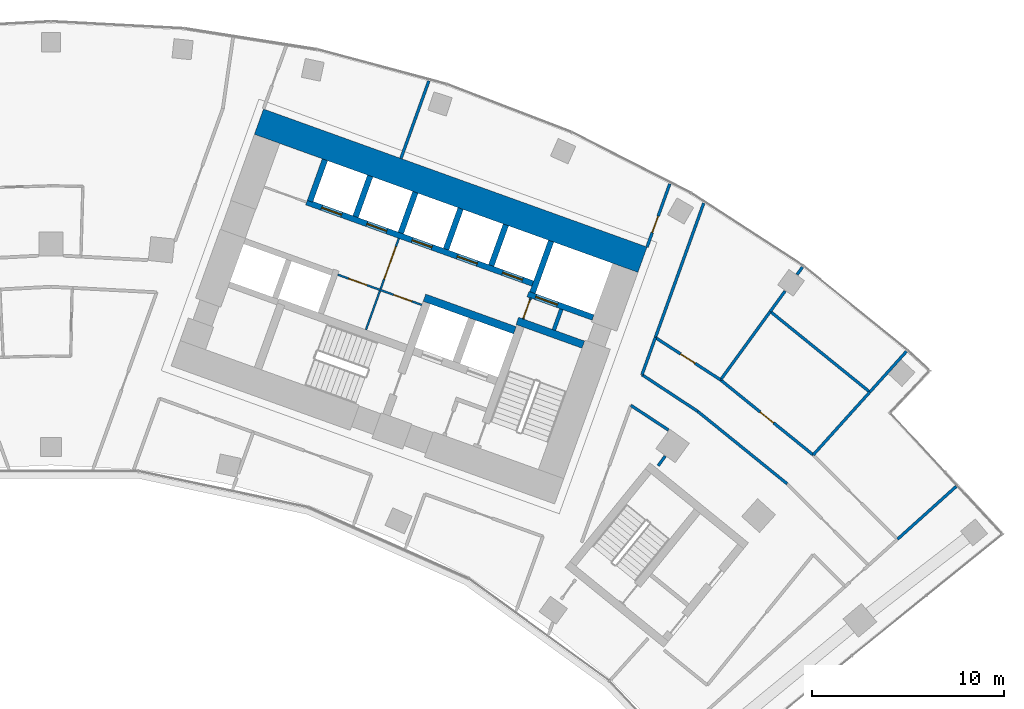
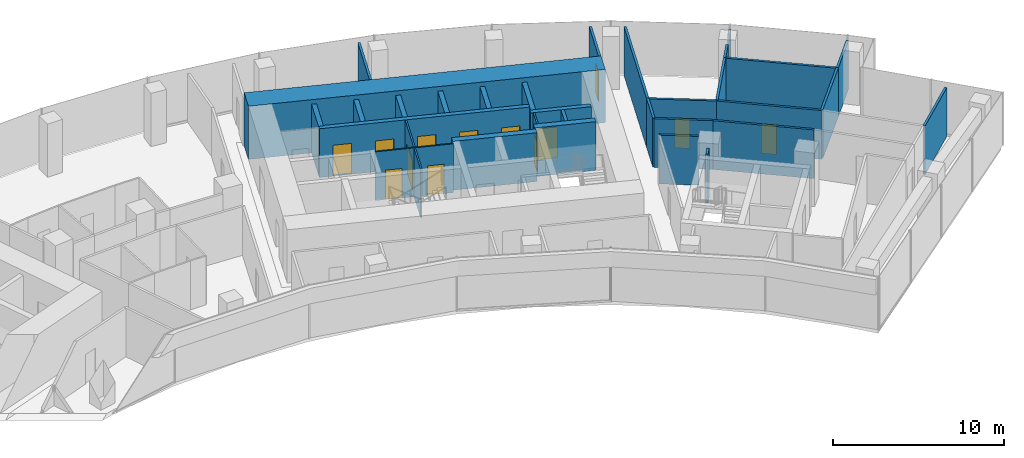
# One storey, part 18 of 21: 32 walls, 13 doors, 13 openings.
"""IFC4 building model written with IfcOpenShell, lengths in metres."""

from ifc_helpers import new_model, si_unit, direction, frame, frame_2d, origin, place, context, subcontext, project, spatial, rectangle, extrude, material, layer, layer_set, type_object, element, fill, save


model = new_model("IFC4")

# Units and contexts
model_context = context("Model", 3, precision=1e-05, world=origin(), true_north=direction((0.0, 1.0)))
body_context = subcontext(model_context, "Body", "Model", "MODEL_VIEW")
ifc_project = project(units=[si_unit("LENGTHUNIT", "METRE"), si_unit("AREAUNIT", "SQUARE_METRE"), si_unit("VOLUMEUNIT", "CUBIC_METRE"), si_unit("PLANEANGLEUNIT", "RADIAN"), si_unit("MASSUNIT", "GRAM", prefix="KILO")], contexts=[model_context])

# Site, building, storey
site_placement = place(None, origin())
site = spatial("IfcSite", under=ifc_project, at=site_placement, CompositionType="ELEMENT")
building_placement = place(site_placement, origin())
building = spatial("IfcBuilding", under=site, at=building_placement, Name="Stone Belt Terrace Tower", CompositionType="ELEMENT")
storey_placement = place(building_placement, frame((0.0, 0.0, 163.0)))
storey = spatial("IfcBuildingStorey", under=building, at=storey_placement, Name="L39", CompositionType="ELEMENT", Elevation=163.0)

# Wall, opening, door
ifc_material_1 = material(Name="Plasterboard partition")
ifc_layer_1 = layer(ifc_material_1, 0.10009765625)
ifc_layer_set_1 = layer_set([ifc_layer_1], Name="Core partition 100")
wall_type_1 = type_object("IfcWallType", Name="Core partition 100", PredefinedType="PARTITIONING", material=ifc_layer_set_1)
wall_1_placement = place(storey_placement, frame((24.555908203125, 51.10400390625, 0.0), z_axis=(0.0, 0.0, 1.0), x_axis=(0.338621735342, 0.94092258999, 0.0)))
wall_1 = element("IfcWall", 1, at=wall_1_placement, inside=storey, type_object=wall_type_1, Name="Core B wall", PredefinedType="PARTITIONING", context=body_context, shape_type="SweptSolid", body=[
    extrude(rectangle(XDim=1.14990234375, YDim=0.10009765625, at=frame_2d((0.574951171875, 0.0))), origin(), (0.0, 0.0, 1.0), 3.47998046875),
])
opening_1_placement = place(wall_1_placement, frame((0.050048828125, 0.0, 0.0)))
opening_1 = element("IfcOpeningElement", 2, at=opening_1_placement, cuts=wall_1, Name="Opening L39-C18", PredefinedType="OPENING", context=body_context, shape_type="SweptSolid", body=[
    extrude(rectangle(XDim=1.0, YDim=2.10009765625, at=frame_2d((0.5, 1.050048828125))), frame((0.0, 0.06005859375, 0.0), z_axis=(0.0, -1.0, 0.0), x_axis=(1.0, 0.0, 0.0)), (0.0, 0.0, 1.0), 0.1201171875),
])
ifc_material_2 = material(Name="Timber door leaf", Category="wood")
door_type_1 = type_object("IfcDoorType", Name="Core room door 1000", OperationType="SINGLE_SWING_LEFT", PredefinedType="DOOR", material=ifc_material_2)
door_1_placement = place(opening_1_placement, origin())
door_1 = element("IfcDoor", 3, at=door_1_placement, inside=storey, type_object=door_type_1, Name="Service lift lobby door core B", OperationType="SINGLE_SWING_RIGHT", OverallHeight=2.10009765625, OverallWidth=1.0, PredefinedType="DOOR", context=body_context, shape_type="SweptSolid", body=[
    extrude(rectangle(XDim=1.0, YDim=2.10009765625, at=frame_2d((0.5, 1.050048828125))), frame((0.0, 0.02490234375, 0.0), z_axis=(0.0, -1.0, 0.0), x_axis=(1.0, 0.0, 0.0)), (0.0, 0.0, 1.0), 0.050048828125),
])
fill(opening_1, door_1)

# Wall, openings, doors
wall_2_placement = place(storey_placement, frame((19.29052734375, 51.829833984375, 0.0), z_axis=(0.0, 0.0, 1.0), x_axis=(-0.940930240745, 0.338600475563, 0.0)))
wall_2 = element("IfcWall", 4, at=wall_2_placement, inside=storey, type_object=wall_type_1, Name="Core B wall", PredefinedType="PARTITIONING", context=body_context, shape_type="SweptSolid", body=[
    extrude(rectangle(XDim=4.64990234375, YDim=0.10009765625, at=frame_2d((2.324951171875, 0.0))), origin(), (0.0, 0.0, 1.0), 3.47998046875),
])
opening_2_placement = place(wall_2_placement, frame((0.550048828125, 0.0, 0.0)))
opening_2 = element("IfcOpeningElement", 5, at=opening_2_placement, cuts=wall_2, Name="Opening L39-C15", PredefinedType="OPENING", context=body_context, shape_type="SweptSolid", body=[
    extrude(rectangle(XDim=1.0, YDim=2.10009765625, at=frame_2d((0.5, 1.050048828125))), frame((0.0, 0.06005859375, 0.0), z_axis=(0.0, -1.0, 0.0), x_axis=(1.0, 0.0, 0.0)), (0.0, 0.0, 1.0), 0.1201171875),
])
opening_3_placement = place(wall_2_placement, frame((3.050048828125, 0.0, 0.0)))
opening_3 = element("IfcOpeningElement", 6, at=opening_3_placement, cuts=wall_2, Name="Opening L39-C16", PredefinedType="OPENING", context=body_context, shape_type="SweptSolid", body=[
    extrude(rectangle(XDim=1.0, YDim=2.10009765625, at=frame_2d((0.5, 1.050048828125))), frame((0.0, 0.06005859375, 0.0), z_axis=(0.0, -1.0, 0.0), x_axis=(1.0, 0.0, 0.0)), (0.0, 0.0, 1.0), 0.1201171875),
])
door_2_placement = place(opening_2_placement, origin())
door_2 = element("IfcDoor", 7, at=door_2_placement, inside=storey, type_object=door_type_1, Name="Door to Meeting store core B", OperationType="SINGLE_SWING_RIGHT", OverallHeight=2.10009765625, OverallWidth=1.0, PredefinedType="DOOR", context=body_context, shape_type="SweptSolid", body=[
    extrude(rectangle(XDim=1.0, YDim=2.10009765625, at=frame_2d((0.5, 1.050048828125))), frame((0.0, 0.02490234375, 0.0), z_axis=(0.0, -1.0, 0.0), x_axis=(1.0, 0.0, 0.0)), (0.0, 0.0, 1.0), 0.050048828125),
])
fill(opening_2, door_2)
door_3_placement = place(opening_3_placement, origin())
door_3 = element("IfcDoor", 8, at=door_3_placement, inside=storey, type_object=door_type_1, Name="Door to Staff pantry core B", OperationType="SINGLE_SWING_LEFT", OverallHeight=2.10009765625, OverallWidth=1.0, PredefinedType="DOOR", context=body_context, shape_type="SweptSolid", body=[
    extrude(rectangle(XDim=1.0, YDim=2.10009765625, at=frame_2d((0.5, 1.050048828125))), frame((0.0, 0.02490234375, 0.0), z_axis=(0.0, -1.0, 0.0), x_axis=(1.0, 0.0, 0.0)), (0.0, 0.0, 1.0), 0.050048828125),
])
fill(opening_3, door_3)

# Wall, opening, door
wall_3_placement = place(storey_placement, frame((16.38134765625, 50.53857421875, 0.0), z_axis=(0.0, 0.0, 1.0), x_axis=(0.33860476744, 0.940928696271, 0.0)))
wall_3 = element("IfcWall", 9, at=wall_3_placement, inside=storey, type_object=wall_type_1, Name="Core B wall", PredefinedType="PARTITIONING", context=body_context, shape_type="SweptSolid", body=[
    extrude(rectangle(XDim=5.050048828125, YDim=0.10009765625, at=frame_2d((2.52490234375, 0.0))), origin(), (0.0, 0.0, 1.0), 3.47998046875),
])
opening_4_placement = place(wall_3_placement, frame((2.800048828125, 0.0, 0.0)))
opening_4 = element("IfcOpeningElement", 10, at=opening_4_placement, cuts=wall_3, Name="Opening L39-C19", PredefinedType="OPENING", context=body_context, shape_type="SweptSolid", body=[
    extrude(rectangle(XDim=1.800048828125, YDim=2.10009765625, at=frame_2d((0.89990234375, 1.050048828125))), frame((0.0, 0.06005859375, 0.0), z_axis=(0.0, -1.0, 0.0), x_axis=(1.0, 0.0, 0.0)), (0.0, 0.0, 1.0), 0.1201171875),
])
ifc_material_3 = material(Name="Glazed aluminium door leaf", Category="aluminium")
door_type_2 = type_object("IfcDoorType", Name="Lift lobby entrance door 1800", OperationType="DOUBLE_DOOR_SINGLE_SWING", PredefinedType="DOOR", material=ifc_material_3)
door_4_placement = place(opening_4_placement, origin())
door_4 = element("IfcDoor", 11, at=door_4_placement, inside=storey, type_object=door_type_2, Name="Lift lobby double door core B", OperationType="DOUBLE_DOOR_SINGLE_SWING", OverallHeight=2.10009765625, OverallWidth=1.800048828125, PredefinedType="DOOR", context=body_context, shape_type="SweptSolid", body=[
    extrude(rectangle(XDim=1.800048828125, YDim=2.10009765625, at=frame_2d((0.89990234375, 1.050048828125))), frame((0.0, 0.02490234375, 0.0), z_axis=(0.0, -1.0, 0.0), x_axis=(1.0, 0.0, 0.0)), (0.0, 0.0, 1.0), 0.050048828125),
])
fill(opening_4, door_4)

# Walls
ifc_material_4 = material(Name="Concrete B80", Category="concrete")
ifc_layer_2 = layer(ifc_material_4, 1.39990234375)
ifc_layer_set_2 = layer_set([ifc_layer_2], Name="Core wall 1400 B80")
wall_type_2 = type_object("IfcWallType", Name="Core wall 1400 B80", PredefinedType="SHEAR", material=ifc_layer_set_2)
wall_4_placement = place(storey_placement, frame((10.81787109375, 61.362060546875, 0.0), z_axis=(0.0, 0.0, 1.0), x_axis=(0.940919704758, -0.338629752382, 0.0)))
element("IfcWall", 12, at=wall_4_placement, inside=storey, type_object=wall_type_2, Name="Core B wall convex L39", PredefinedType="SHEAR", context=body_context, shape_type="SweptSolid", body=[
    extrude(rectangle(XDim=21.199951171875, YDim=1.39990234375, at=frame_2d((10.60009765625, 0.0))), origin(), (0.0, 0.0, 1.0), 3.800048828125),
])
ifc_layer_3 = layer(ifc_material_4, 0.39990234375)
ifc_layer_set_3 = layer_set([ifc_layer_3], Name="Fire-fighting lift shaft wall 400")
wall_type_3 = type_object("IfcWallType", Name="Fire-fighting lift shaft wall 400", PredefinedType="SHEAR", material=ifc_layer_set_3)
wall_5_placement = place(storey_placement, frame((24.130615234375, 50.512939453125, 0.0), z_axis=(0.0, 0.0, 1.0), x_axis=(-0.94091168377, 0.338652038744, 0.0)))
element("IfcWall", 13, at=wall_5_placement, inside=storey, type_object=wall_type_3, Name="Core B wall", PredefinedType="SHEAR", context=body_context, shape_type="SweptSolid", body=[
    extrude(rectangle(XDim=5.000244140625, YDim=0.39990234375, at=frame_2d((2.5, 0.0))), origin(), (0.0, 0.0, 1.0), 3.47998046875),
])

# Wall, opening, door
ifc_layer_4 = layer(ifc_material_4, 0.300048828125)
ifc_layer_set_4 = layer_set([ifc_layer_4], Name="Lift shaft wall 300")
wall_type_4 = type_object("IfcWallType", Name="Lift shaft wall 300", PredefinedType="SHEAR", material=ifc_layer_set_4)
wall_6_placement = place(storey_placement, frame((28.195068359375, 51.17578125, 0.0), z_axis=(0.0, 0.0, 1.0), x_axis=(-0.940901243567, 0.338681044427, 0.0)))
wall_6 = element("IfcWall", 14, at=wall_6_placement, inside=storey, type_object=wall_type_4, Name="Core B wall", PredefinedType="SHEAR", context=body_context, shape_type="SweptSolid", body=[
    extrude(rectangle(XDim=3.599853515625, YDim=0.300048828125, at=frame_2d((1.7998046875, 0.0))), origin(), (0.0, 0.0, 1.0), 3.47998046875),
])
opening_5_placement = place(wall_6_placement, frame((1.969970703125, 0.0, 0.0)))
opening_5 = element("IfcOpeningElement", 15, at=opening_5_placement, cuts=wall_6, Name="Opening L39-LD16", PredefinedType="OPENING", context=body_context, shape_type="SweptSolid", body=[
    extrude(rectangle(XDim=1.199951171875, YDim=2.199951171875, at=frame_2d((0.60009765625, 1.10009765625))), frame((0.0, 0.159912109375, 0.0), z_axis=(0.0, -1.0, 0.0), x_axis=(1.0, 0.0, 0.0)), (0.0, 0.0, 1.0), 0.320068359375),
])
ifc_material_5 = material(Name="Stainless steel door leaf", Category="steel")
door_type_3 = type_object("IfcDoorType", Name="Landing door 1200", OperationType="SLIDING_TO_LEFT", PredefinedType="DOOR", material=ifc_material_5)
door_5_placement = place(opening_5_placement, origin())
door_5 = element("IfcDoor", 16, at=door_5_placement, inside=storey, type_object=door_type_3, Name="Landing door SV1 core B", OperationType="SLIDING_TO_LEFT", OverallHeight=2.199951171875, OverallWidth=1.199951171875, PredefinedType="DOOR", context=body_context, shape_type="SweptSolid", body=[
    extrude(rectangle(XDim=1.199951171875, YDim=2.199951171875, at=frame_2d((0.60009765625, 1.10009765625))), frame((0.0, 0.02490234375, 0.0), z_axis=(0.0, -1.0, 0.0), x_axis=(1.0, 0.0, 0.0)), (0.0, 0.0, 1.0), 0.050048828125),
])
fill(opening_5, door_5)

# Wall
wall_7_placement = place(storey_placement, frame((25.046875, 52.46826171875, 0.0), z_axis=(0.0, 0.0, 1.0), x_axis=(0.338549588058, 0.940948551423, 0.0)))
element("IfcWall", 17, at=wall_7_placement, inside=storey, type_object=wall_type_4, Name="Core B wall", PredefinedType="SHEAR", context=body_context, shape_type="SweptSolid", body=[
    extrude(rectangle(XDim=2.849853515625, YDim=0.300048828125, at=frame_2d((1.4248046875, 0.0))), origin(), (0.0, 0.0, 1.0), 3.47998046875),
])

# Wall, openings, doors
wall_8_placement = place(storey_placement, frame((25.05810546875, 52.9423828125, 0.0), z_axis=(0.0, 0.0, 1.0), x_axis=(-0.940920770291, 0.338626791666, 0.0)))
wall_8 = element("IfcWall", 18, at=wall_8_placement, inside=storey, type_object=wall_type_4, Name="Core B wall", PredefinedType="SHEAR", context=body_context, shape_type="SweptSolid", body=[
    extrude(rectangle(XDim=12.500244140625, YDim=0.300048828125, at=frame_2d((6.25, 0.0))), origin(), (0.0, 0.0, 1.0), 3.47998046875),
])
opening_6_placement = place(wall_8_placement, frame((0.570068359375, 0.0, 0.0)))
opening_6 = element("IfcOpeningElement", 19, at=opening_6_placement, cuts=wall_8, Name="Opening L39-LD09", PredefinedType="OPENING", context=body_context, shape_type="SweptSolid", body=[
    extrude(rectangle(XDim=1.10009765625, YDim=2.199951171875, at=frame_2d((0.550048828125, 1.10009765625))), frame((0.0, 0.159912109375, 0.0), z_axis=(0.0, -1.0, 0.0), x_axis=(1.0, 0.0, 0.0)), (0.0, 0.0, 1.0), 0.320068359375),
])
opening_7_placement = place(wall_8_placement, frame((3.070068359375, 0.0, 0.0)))
opening_7 = element("IfcOpeningElement", 20, at=opening_7_placement, cuts=wall_8, Name="Opening L39-LD10", PredefinedType="OPENING", context=body_context, shape_type="SweptSolid", body=[
    extrude(rectangle(XDim=1.10009765625, YDim=2.199951171875, at=frame_2d((0.550048828125, 1.10009765625))), frame((0.0, 0.159912109375, 0.0), z_axis=(0.0, -1.0, 0.0), x_axis=(1.0, 0.0, 0.0)), (0.0, 0.0, 1.0), 0.320068359375),
])
opening_8_placement = place(wall_8_placement, frame((5.570068359375, 0.0, 0.0)))
opening_8 = element("IfcOpeningElement", 21, at=opening_8_placement, cuts=wall_8, Name="Opening L39-LD11", PredefinedType="OPENING", context=body_context, shape_type="SweptSolid", body=[
    extrude(rectangle(XDim=1.10009765625, YDim=2.199951171875, at=frame_2d((0.550048828125, 1.10009765625))), frame((0.0, 0.159912109375, 0.0), z_axis=(0.0, -1.0, 0.0), x_axis=(1.0, 0.0, 0.0)), (0.0, 0.0, 1.0), 0.320068359375),
])
opening_9_placement = place(wall_8_placement, frame((8.070068359375, 0.0, 0.0)))
opening_9 = element("IfcOpeningElement", 22, at=opening_9_placement, cuts=wall_8, Name="Opening L39-LD12", PredefinedType="OPENING", context=body_context, shape_type="SweptSolid", body=[
    extrude(rectangle(XDim=1.10009765625, YDim=2.199951171875, at=frame_2d((0.550048828125, 1.10009765625))), frame((0.0, 0.159912109375, 0.0), z_axis=(0.0, -1.0, 0.0), x_axis=(1.0, 0.0, 0.0)), (0.0, 0.0, 1.0), 0.320068359375),
])
opening_10_placement = place(wall_8_placement, frame((10.570068359375, 0.0, 0.0)))
opening_10 = element("IfcOpeningElement", 23, at=opening_10_placement, cuts=wall_8, Name="Opening L39-LD13", PredefinedType="OPENING", context=body_context, shape_type="SweptSolid", body=[
    extrude(rectangle(XDim=1.10009765625, YDim=2.199951171875, at=frame_2d((0.550048828125, 1.10009765625))), frame((0.0, 0.159912109375, 0.0), z_axis=(0.0, -1.0, 0.0), x_axis=(1.0, 0.0, 0.0)), (0.0, 0.0, 1.0), 0.320068359375),
])
door_type_4 = type_object("IfcDoorType", Name="Landing door 1100", OperationType="SLIDING_TO_LEFT", PredefinedType="DOOR", material=ifc_material_5)
door_6_placement = place(opening_6_placement, origin())
door_6 = element("IfcDoor", 24, at=door_6_placement, inside=storey, type_object=door_type_4, Name="Landing door MR1 core B", OperationType="SLIDING_TO_LEFT", OverallHeight=2.199951171875, OverallWidth=1.10009765625, PredefinedType="DOOR", context=body_context, shape_type="SweptSolid", body=[
    extrude(rectangle(XDim=1.10009765625, YDim=2.199951171875, at=frame_2d((0.550048828125, 1.10009765625))), frame((0.0, 0.02490234375, 0.0), z_axis=(0.0, -1.0, 0.0), x_axis=(1.0, 0.0, 0.0)), (0.0, 0.0, 1.0), 0.050048828125),
])
fill(opening_6, door_6)
door_7_placement = place(opening_7_placement, origin())
door_7 = element("IfcDoor", 25, at=door_7_placement, inside=storey, type_object=door_type_4, Name="Landing door MR2 core B", OperationType="SLIDING_TO_LEFT", OverallHeight=2.199951171875, OverallWidth=1.10009765625, PredefinedType="DOOR", context=body_context, shape_type="SweptSolid", body=[
    extrude(rectangle(XDim=1.10009765625, YDim=2.199951171875, at=frame_2d((0.550048828125, 1.10009765625))), frame((0.0, 0.02490234375, 0.0), z_axis=(0.0, -1.0, 0.0), x_axis=(1.0, 0.0, 0.0)), (0.0, 0.0, 1.0), 0.050048828125),
])
fill(opening_7, door_7)
door_8_placement = place(opening_8_placement, origin())
door_8 = element("IfcDoor", 26, at=door_8_placement, inside=storey, type_object=door_type_4, Name="Landing door MR3 core B", OperationType="SLIDING_TO_LEFT", OverallHeight=2.199951171875, OverallWidth=1.10009765625, PredefinedType="DOOR", context=body_context, shape_type="SweptSolid", body=[
    extrude(rectangle(XDim=1.10009765625, YDim=2.199951171875, at=frame_2d((0.550048828125, 1.10009765625))), frame((0.0, 0.02490234375, 0.0), z_axis=(0.0, -1.0, 0.0), x_axis=(1.0, 0.0, 0.0)), (0.0, 0.0, 1.0), 0.050048828125),
])
fill(opening_8, door_8)
door_9_placement = place(opening_9_placement, origin())
door_9 = element("IfcDoor", 27, at=door_9_placement, inside=storey, type_object=door_type_4, Name="Landing door MR4 core B", OperationType="SLIDING_TO_LEFT", OverallHeight=2.199951171875, OverallWidth=1.10009765625, PredefinedType="DOOR", context=body_context, shape_type="SweptSolid", body=[
    extrude(rectangle(XDim=1.10009765625, YDim=2.199951171875, at=frame_2d((0.550048828125, 1.10009765625))), frame((0.0, 0.02490234375, 0.0), z_axis=(0.0, -1.0, 0.0), x_axis=(1.0, 0.0, 0.0)), (0.0, 0.0, 1.0), 0.050048828125),
])
fill(opening_9, door_9)
door_10_placement = place(opening_10_placement, origin())
door_10 = element("IfcDoor", 28, at=door_10_placement, inside=storey, type_object=door_type_4, Name="Landing door MR5 core B", OperationType="SLIDING_TO_LEFT", OverallHeight=2.199951171875, OverallWidth=1.10009765625, PredefinedType="DOOR", context=body_context, shape_type="SweptSolid", body=[
    extrude(rectangle(XDim=1.10009765625, YDim=2.199951171875, at=frame_2d((0.550048828125, 1.10009765625))), frame((0.0, 0.02490234375, 0.0), z_axis=(0.0, -1.0, 0.0), x_axis=(1.0, 0.0, 0.0)), (0.0, 0.0, 1.0), 0.050048828125),
])
fill(opening_10, door_10)

# Walls
wall_9_placement = place(storey_placement, frame((22.897705078125, 53.87939453125, 0.0), z_axis=(0.0, 0.0, 1.0), x_axis=(0.338535034312, 0.940953787677, 0.0)))
element("IfcWall", 29, at=wall_9_placement, inside=storey, type_object=wall_type_4, Name="Core B wall", PredefinedType="SHEAR", context=body_context, shape_type="SweptSolid", body=[
    extrude(rectangle(XDim=2.25, YDim=0.300048828125, at=frame_2d((1.125, 0.0))), origin(), (0.0, 0.0, 1.0), 3.47998046875),
])
wall_10_placement = place(storey_placement, frame((20.54541015625, 54.72607421875, 0.0), z_axis=(0.0, 0.0, 1.0), x_axis=(0.338569601369, 0.940941350472, 0.0)))
element("IfcWall", 30, at=wall_10_placement, inside=storey, type_object=wall_type_4, Name="Core B wall", PredefinedType="SHEAR", context=body_context, shape_type="SweptSolid", body=[
    extrude(rectangle(XDim=2.249755859375, YDim=0.300048828125, at=frame_2d((1.125, 0.0))), origin(), (0.0, 0.0, 1.0), 3.47998046875),
])
wall_11_placement = place(storey_placement, frame((18.193115234375, 55.572509765625, 0.0), z_axis=(0.0, 0.0, 1.0), x_axis=(0.338535034312, 0.940953787677, 0.0)))
element("IfcWall", 31, at=wall_11_placement, inside=storey, type_object=wall_type_4, Name="Core B wall", PredefinedType="SHEAR", context=body_context, shape_type="SweptSolid", body=[
    extrude(rectangle(XDim=2.25, YDim=0.300048828125, at=frame_2d((1.125, 0.0))), origin(), (0.0, 0.0, 1.0), 3.47998046875),
])
wall_12_placement = place(storey_placement, frame((15.8408203125, 56.419189453125, 0.0), z_axis=(0.0, 0.0, 1.0), x_axis=(0.338569601369, 0.940941350472, 0.0)))
element("IfcWall", 32, at=wall_12_placement, inside=storey, type_object=wall_type_4, Name="Core B wall", PredefinedType="SHEAR", context=body_context, shape_type="SweptSolid", body=[
    extrude(rectangle(XDim=2.249755859375, YDim=0.300048828125, at=frame_2d((1.125, 0.0))), origin(), (0.0, 0.0, 1.0), 3.47998046875),
])
wall_13_placement = place(storey_placement, frame((13.471435546875, 57.218505859375, 0.0), z_axis=(0.0, 0.0, 1.0), x_axis=(0.338587917, 0.940934759939, 0.0)))
element("IfcWall", 33, at=wall_13_placement, inside=storey, type_object=wall_type_4, Name="Core B wall", PredefinedType="SHEAR", context=body_context, shape_type="SweptSolid", body=[
    extrude(rectangle(XDim=2.300048828125, YDim=0.300048828125, at=frame_2d((1.14990234375, 0.0))), origin(), (0.0, 0.0, 1.0), 3.47998046875),
])

# Wall, opening, door
ifc_material_6 = material(Name="Gypsum board partition")
ifc_layer_5 = layer(ifc_material_6, 0.14990234375)
ifc_layer_set_5 = layer_set([ifc_layer_5], Name="PARTITION 150 EI 60")
wall_type_5 = type_object("IfcWallType", Name="PARTITION 150 EI 60", PredefinedType="PARTITIONING", material=ifc_layer_set_5)
wall_14_placement = place(storey_placement, frame((31.001953125, 54.842041015625, 0.0), z_axis=(0.0, 0.0, 1.0), x_axis=(0.338662585219, 0.940907887826, 0.0)))
wall_14 = element("IfcWall", 34, at=wall_14_placement, inside=storey, type_object=wall_type_5, Name="L39/wall/i028", PredefinedType="PARTITIONING", context=body_context, shape_type="SweptSolid", body=[
    extrude(rectangle(XDim=3.49560546875, YDim=0.14990234375, at=frame_2d((1.747802734375, 0.0))), origin(), (0.0, 0.0, 1.0), 3.47998046875),
])
opening_11_placement = place(wall_14_placement, frame((0.798828125, 0.0, 0.0)))
opening_11 = element("IfcOpeningElement", 35, at=opening_11_placement, cuts=wall_14, Name="Opening D-C2-11", PredefinedType="OPENING", context=body_context, shape_type="SweptSolid", body=[
    extrude(rectangle(XDim=0.89990234375, YDim=2.10009765625, at=frame_2d((0.449951171875, 1.050048828125))), frame((0.0, 0.0849609375, 0.0), z_axis=(0.0, -1.0, 0.0), x_axis=(1.0, 0.0, 0.0)), (0.0, 0.0, 1.0), 0.169921875),
])
door_type_5 = type_object("IfcDoorType", Name="OFFICE DOOR 900 X 2100", OperationType="NOTDEFINED", PredefinedType="DOOR", material=ifc_material_2)
door_11_placement = place(opening_11_placement, origin())
door_11 = element("IfcDoor", 36, at=door_11_placement, inside=storey, type_object=door_type_5, Name="L39/door/i11", OperationType="SINGLE_SWING_LEFT", OverallHeight=2.10009765625, OverallWidth=0.89990234375, PredefinedType="DOOR", context=body_context, shape_type="SweptSolid", body=[
    extrude(rectangle(XDim=0.89990234375, YDim=2.10009765625, at=frame_2d((0.449951171875, 1.050048828125))), frame((0.0, 0.02490234375, 0.0), z_axis=(0.0, -1.0, 0.0), x_axis=(1.0, 0.0, 0.0)), (0.0, 0.0, 1.0), 0.050048828125),
])
fill(opening_11, door_11)

# Walls
wall_15_placement = place(storey_placement, frame((31.43603515625, 50.139892578125, 0.0), z_axis=(0.0, 0.0, 1.0), x_axis=(-0.338522672426, -0.940958235127, 0.0)))
element("IfcWall", 37, at=wall_15_placement, inside=storey, type_object=wall_type_5, Name="L39/wall/i032", PredefinedType="PARTITIONING", context=body_context, shape_type="SweptSolid", body=[
    extrude(rectangle(XDim=2.064697265625, YDim=0.14990234375, at=frame_2d((1.0322265625, 0.0))), origin(), (0.0, 0.0, 1.0), 3.47998046875),
])
wall_16_placement = place(storey_placement, frame((33.951904296875, 57.131103515625, 0.0), z_axis=(0.0, 0.0, 1.0), x_axis=(-0.338585885873, -0.940935490822, 0.0)))
element("IfcWall", 38, at=wall_16_placement, inside=storey, type_object=wall_type_5, Name="L39/wall/i033", PredefinedType="PARTITIONING", context=body_context, shape_type="SweptSolid", body=[
    extrude(rectangle(XDim=7.44287109375, YDim=0.14990234375, at=frame_2d((3.721435546875, 0.0))), origin(), (0.0, 0.0, 1.0), 3.47998046875),
])
wall_17_placement = place(storey_placement, frame((19.65478515625, 63.485107421875, 0.0), z_axis=(0.0, 0.0, 1.0), x_axis=(-0.338693268504, -0.940896843373, 0.0)))
element("IfcWall", 39, at=wall_17_placement, inside=storey, type_object=wall_type_5, Name="L39/wall/i041", PredefinedType="PARTITIONING", context=body_context, shape_type="SweptSolid", body=[
    extrude(rectangle(XDim=4.28955078125, YDim=0.14990234375, at=frame_2d((2.144775390625, 0.0))), origin(), (0.0, 0.0, 1.0), 3.47998046875),
])
wall_18_placement = place(storey_placement, frame((44.02490234375, 39.64111328125, 0.0), z_axis=(0.0, 0.0, 1.0), x_axis=(0.743235201661, 0.669030219805, 0.0)))
element("IfcWall", 40, at=wall_18_placement, inside=storey, type_object=wall_type_5, Name="L39/wall/i064", PredefinedType="PARTITIONING", context=body_context, shape_type="SweptSolid", body=[
    extrude(rectangle(XDim=4.119140625, YDim=0.14990234375, at=frame_2d((2.0595703125, 0.0))), origin(), (0.0, 0.0, 1.0), 3.47998046875),
])
wall_19_placement = place(storey_placement, frame((31.580078125, 43.466064453125, 0.0), z_axis=(0.0, 0.0, 1.0), x_axis=(0.58798371838, 0.808872763121, 0.0)))
element("IfcWall", 41, at=wall_19_placement, inside=storey, type_object=wall_type_5, Name="L39/wall/i065", PredefinedType="PARTITIONING", context=body_context, shape_type="SweptSolid", body=[
    extrude(rectangle(XDim=0.617919921875, YDim=0.14990234375, at=frame_2d((0.30908203125, 0.0))), origin(), (0.0, 0.0, 1.0), 3.47998046875),
])
wall_20_placement = place(storey_placement, frame((32.1181640625, 45.321044921875, 0.0), z_axis=(0.0, 0.0, 1.0), x_axis=(-0.835424653074, 0.549604993641, 0.0)))
element("IfcWall", 42, at=wall_20_placement, inside=storey, type_object=wall_type_5, Name="L39/wall/i066", PredefinedType="PARTITIONING", context=body_context, shape_type="SweptSolid", body=[
    extrude(rectangle(XDim=2.337890625, YDim=0.14990234375, at=frame_2d((1.1689453125, 0.0))), origin(), (0.0, 0.0, 1.0), 3.47998046875),
])
wall_21_placement = place(storey_placement, frame((30.739013671875, 48.202880859375, 0.0), z_axis=(0.0, 0.0, 1.0), x_axis=(0.835274160171, -0.549833681535, 0.0)))
element("IfcWall", 43, at=wall_21_placement, inside=storey, type_object=wall_type_5, Name="L39/wall/i068", PredefinedType="PARTITIONING", context=body_context, shape_type="SweptSolid", body=[
    extrude(rectangle(XDim=3.46826171875, YDim=0.14990234375, at=frame_2d((1.734130859375, 0.0))), origin(), (0.0, 0.0, 1.0), 3.47998046875),
])
wall_22_placement = place(storey_placement, frame((33.635986328125, 46.2958984375, 0.0), z_axis=(0.0, 0.0, 1.0), x_axis=(0.77714422733, -0.629322532513, 0.0)))
element("IfcWall", 44, at=wall_22_placement, inside=storey, type_object=wall_type_5, Name="L39/wall/i069", PredefinedType="PARTITIONING", context=body_context, shape_type="SweptSolid", body=[
    extrude(rectangle(XDim=5.98876953125, YDim=0.14990234375, at=frame_2d((2.994384765625, 0.0))), origin(), (0.0, 0.0, 1.0), 3.47998046875),
])

# Wall, opening, door
wall_23_placement = place(storey_placement, frame((31.43408203125, 50.134033203125, 0.0), z_axis=(0.0, 0.0, 1.0), x_axis=(0.838660143757, -0.544655086521, 0.0)))
wall_23 = element("IfcWall", 45, at=wall_23_placement, inside=storey, type_object=wall_type_5, Name="L39/wall/i074", PredefinedType="PARTITIONING", context=body_context, shape_type="SweptSolid", body=[
    extrude(rectangle(XDim=4.043212890625, YDim=0.14990234375, at=frame_2d((2.021484375, 0.0))), origin(), (0.0, 0.0, 1.0), 3.47998046875),
])
opening_12_placement = place(wall_23_placement, frame((1.571533203125, 0.0, 0.0)))
opening_12 = element("IfcOpeningElement", 46, at=opening_12_placement, cuts=wall_23, Name="Opening D-C2-24", PredefinedType="OPENING", context=body_context, shape_type="SweptSolid", body=[
    extrude(rectangle(XDim=0.89990234375, YDim=2.10009765625, at=frame_2d((0.449951171875, 1.050048828125))), frame((0.0, 0.0849609375, 0.0), z_axis=(0.0, -1.0, 0.0), x_axis=(1.0, 0.0, 0.0)), (0.0, 0.0, 1.0), 0.169921875),
])
door_12_placement = place(opening_12_placement, origin())
door_12 = element("IfcDoor", 47, at=door_12_placement, inside=storey, type_object=door_type_5, Name="L39/door/i24", OperationType="SINGLE_SWING_RIGHT", OverallHeight=2.10009765625, OverallWidth=0.89990234375, PredefinedType="DOOR", context=body_context, shape_type="SweptSolid", body=[
    extrude(rectangle(XDim=0.89990234375, YDim=2.10009765625, at=frame_2d((0.449951171875, 1.050048828125))), frame((0.0, 0.02490234375, 0.0), z_axis=(0.0, -1.0, 0.0), x_axis=(1.0, 0.0, 0.0)), (0.0, 0.0, 1.0), 0.050048828125),
])
fill(opening_12, door_12)

wall_24_placement = place(storey_placement, frame((34.824951171875, 47.931884765625, 0.0), z_axis=(0.0, 0.0, 1.0), x_axis=(0.777190769916, -0.629265053184, 0.0)))
wall_24 = element("IfcWall", 48, at=wall_24_placement, inside=storey, type_object=wall_type_5, Name="L39/wall/i075", PredefinedType="PARTITIONING", context=body_context, shape_type="SweptSolid", body=[
    extrude(rectangle(XDim=6.20068359375, YDim=0.14990234375, at=frame_2d((3.100341796875, 0.0))), origin(), (0.0, 0.0, 1.0), 3.47998046875),
])
opening_13_placement = place(wall_24_placement, frame((2.650390625, 0.0, 0.0)))
opening_13 = element("IfcOpeningElement", 49, at=opening_13_placement, cuts=wall_24, Name="Opening D-C2-25", PredefinedType="OPENING", context=body_context, shape_type="SweptSolid", body=[
    extrude(rectangle(XDim=0.89990234375, YDim=2.10009765625, at=frame_2d((0.449951171875, 1.050048828125))), frame((0.0, 0.0849609375, 0.0), z_axis=(0.0, -1.0, 0.0), x_axis=(1.0, 0.0, 0.0)), (0.0, 0.0, 1.0), 0.169921875),
])
door_13_placement = place(opening_13_placement, origin())
door_13 = element("IfcDoor", 50, at=door_13_placement, inside=storey, type_object=door_type_5, Name="L39/door/i25", OperationType="SINGLE_SWING_RIGHT", OverallHeight=2.10009765625, OverallWidth=0.89990234375, PredefinedType="DOOR", context=body_context, shape_type="SweptSolid", body=[
    extrude(rectangle(XDim=0.89990234375, YDim=2.10009765625, at=frame_2d((0.449951171875, 1.050048828125))), frame((0.0, 0.02490234375, 0.0), z_axis=(0.0, -1.0, 0.0), x_axis=(1.0, 0.0, 0.0)), (0.0, 0.0, 1.0), 0.050048828125),
])
fill(opening_13, door_13)

# Walls
wall_25_placement = place(storey_placement, frame((37.4140625, 51.4970703125, 0.0), z_axis=(0.0, 0.0, 1.0), x_axis=(-0.587614770506, -0.809140829203, 0.0)))
element("IfcWall", 51, at=wall_25_placement, inside=storey, type_object=wall_type_5, Name="L39/wall/i077", PredefinedType="PARTITIONING", context=body_context, shape_type="SweptSolid", body=[
    extrude(rectangle(XDim=4.40625, YDim=0.14990234375, at=frame_2d((2.203125, 0.0))), origin(), (0.0, 0.0, 1.0), 3.47998046875),
])
wall_26_placement = place(storey_placement, frame((39.087890625, 53.7998046875, 0.0), z_axis=(0.0, 0.0, 1.0), x_axis=(-0.588171697675, -0.808736084303, 0.0)))
element("IfcWall", 52, at=wall_26_placement, inside=storey, type_object=wall_type_5, Name="L39/wall/i078", PredefinedType="PARTITIONING", context=body_context, shape_type="SweptSolid", body=[
    extrude(rectangle(XDim=0.4814453125, YDim=0.14990234375, at=frame_2d((0.24072265625, 0.0))), origin(), (0.0, 0.0, 1.0), 3.47998046875),
])
wall_27_placement = place(storey_placement, frame((38.181640625, 52.552978515625, 0.0), z_axis=(0.0, 0.0, 1.0), x_axis=(-0.587896246037, -0.808936341065, 0.0)))
element("IfcWall", 53, at=wall_27_placement, inside=storey, type_object=wall_type_5, Name="L39/wall/i079", PredefinedType="PARTITIONING", context=body_context, shape_type="SweptSolid", body=[
    extrude(rectangle(XDim=1.317626953125, YDim=0.14990234375, at=frame_2d((0.65869140625, 0.0))), origin(), (0.0, 0.0, 1.0), 3.47998046875),
])
wall_28_placement = place(storey_placement, frame((37.410888671875, 51.491943359375, 0.0), z_axis=(0.0, 0.0, 1.0), x_axis=(0.777100621569, -0.629376377025, 0.0)))
element("IfcWall", 54, at=wall_28_placement, inside=storey, type_object=wall_type_5, Name="L39/wall/i080", PredefinedType="PARTITIONING", context=body_context, shape_type="SweptSolid", body=[
    extrude(rectangle(XDim=6.661865234375, YDim=0.14990234375, at=frame_2d((3.3310546875, 0.0))), origin(), (0.0, 0.0, 1.0), 3.47998046875),
])
wall_29_placement = place(storey_placement, frame((42.587890625, 47.299072265625, 0.0), z_axis=(0.0, 0.0, 1.0), x_axis=(-0.669179331895, -0.743100949915, 0.0)))
element("IfcWall", 55, at=wall_29_placement, inside=storey, type_object=wall_type_5, Name="L39/wall/i081", PredefinedType="PARTITIONING", context=body_context, shape_type="SweptSolid", body=[
    extrude(rectangle(XDim=4.399169921875, YDim=0.14990234375, at=frame_2d((2.19970703125, 0.0))), origin(), (0.0, 0.0, 1.0), 3.47998046875),
])
wall_30_placement = place(storey_placement, frame((44.496826171875, 49.41943359375, 0.0), z_axis=(0.0, 0.0, 1.0), x_axis=(-0.669082915731, -0.743187763541, 0.0)))
element("IfcWall", 56, at=wall_30_placement, inside=storey, type_object=wall_type_5, Name="L39/wall/i082", PredefinedType="PARTITIONING", context=body_context, shape_type="SweptSolid", body=[
    extrude(rectangle(XDim=2.85302734375, YDim=0.14990234375, at=frame_2d((1.426513671875, 0.0))), origin(), (0.0, 0.0, 1.0), 3.47998046875),
])
ifc_material_7 = material(Name="Concrete masonry block", Category="masonry")
ifc_layer_6 = layer(ifc_material_7, 0.199951171875)
ifc_layer_set_6 = layer_set([ifc_layer_6], Name="Rated lobby wall 200")
wall_type_6 = type_object("IfcWallType", Name="Rated lobby wall 200", PredefinedType="PARTITIONING", material=ifc_layer_set_6)
wall_31_placement = place(storey_placement, frame((26.1552734375, 50.5283203125, 0.0), z_axis=(0.0, 0.0, 1.0), x_axis=(0.338621735342, 0.94092258999, 0.0)))
element("IfcWall", 57, at=wall_31_placement, inside=storey, type_object=wall_type_6, Name="Core B wall", PredefinedType="PARTITIONING", context=body_context, shape_type="SweptSolid", body=[
    extrude(rectangle(XDim=1.14990234375, YDim=0.199951171875, at=frame_2d((0.574951171875, 0.0))), origin(), (0.0, 0.0, 1.0), 3.47998046875),
])
ifc_layer_7 = layer(ifc_material_4, 0.39990234375)
ifc_layer_set_7 = layer_set([ifc_layer_7], Name="Stair enclosure wall 400")
wall_type_7 = type_object("IfcWallType", Name="Stair enclosure wall 400", PredefinedType="SHEAR", material=ifc_layer_set_7)
wall_32_placement = place(storey_placement, frame((27.687255859375, 49.764404296875, 0.0), z_axis=(0.0, 0.0, 1.0), x_axis=(-0.940918954884, 0.338631835981, 0.0)))
element("IfcWall", 58, at=wall_32_placement, inside=storey, type_object=wall_type_7, Name="Core B wall", PredefinedType="SHEAR", context=body_context, shape_type="SweptSolid", body=[
    extrude(rectangle(XDim=3.650146484375, YDim=0.39990234375, at=frame_2d((1.8251953125, 0.0))), origin(), (0.0, 0.0, 1.0), 3.47998046875),
])

save(model, "model.ifc")
